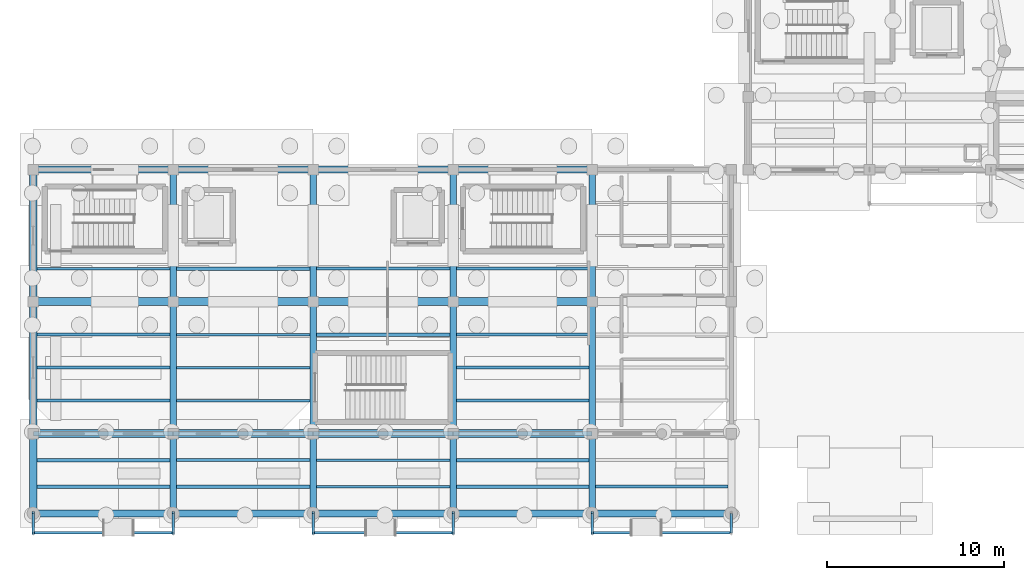
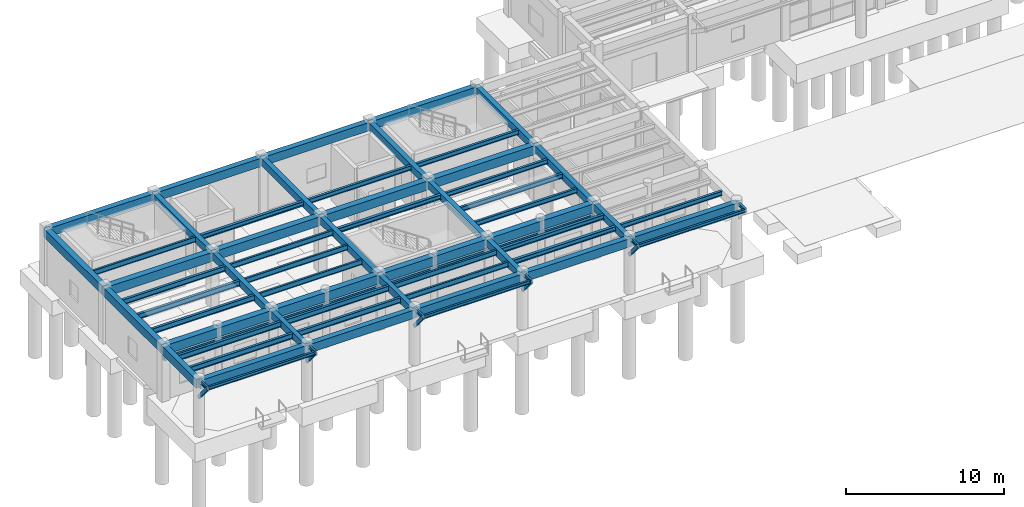
# One storey, part 8 of 41: 72 beams, 5 members.
"""IFC4 building model written with IfcOpenShell, lengths in metres."""

from ifc_helpers import new_model, si_unit, direction, frame, origin, origin_2d, place, context, subcontext, project, spatial, rectangle, hollow_rectangle, i_section, extrude, material, material_profile, profile_set, type_object, element, save


model = new_model("IFC4")

# Units and contexts
model_context = context("Model", 3, precision=1e-05, world=origin(), true_north=direction((0.0, 1.0)))
body_context = subcontext(model_context, "Body", "Model", "MODEL_VIEW")
ifc_project = project(units=[si_unit("LENGTHUNIT", "METRE"), si_unit("AREAUNIT", "SQUARE_METRE"), si_unit("VOLUMEUNIT", "CUBIC_METRE"), si_unit("PLANEANGLEUNIT", "RADIAN"), si_unit("MASSUNIT", "GRAM", prefix="KILO")], contexts=[model_context])

# Site, building, storey
site_placement = place(None, origin())
site = spatial("IfcSite", under=ifc_project, at=site_placement, CompositionType="ELEMENT")
building_placement = place(site_placement, origin())
building = spatial("IfcBuilding", under=site, at=building_placement, Name="Candilejo Ridge Gondola Terminal", CompositionType="ELEMENT")
storey_placement = place(building_placement, origin())
storey = spatial("IfcBuildingStorey", under=building, at=storey_placement, Name="L00", CompositionType="ELEMENT", Elevation=0.0)

# Beams
ifc_material_1 = material(Name="Concrete f'c 35 MPa (C35/45)", Category="concrete")
ifc_material_profile_1 = material_profile(ifc_material_1, rectangle(XDim=0.35009765625, YDim=0.550048828125, at=origin_2d()))
ifc_profile_set_1 = profile_set([ifc_material_profile_1], Name="Concrete f'c 35 MPa (C35/45)")
beam_type_1 = type_object("IfcBeamType", Name="STR-BM-RC350X550", PredefinedType="BEAM", material=ifc_profile_set_1)
beam_1_placement = place(storey_placement, frame((12.199951171875, 6.300048828125, 3.985107421875), z_axis=(0.0, 1.0, 0.0), x_axis=(-1.0, 0.0, 0.0)))
element("IfcBeam", 1, at=beam_1_placement, inside=storey, type_object=beam_type_1, Name="Beam Y V1 L00 Y01-Y02@X02", PredefinedType="BEAM", context=body_context, shape_type="SweptSolid", body=[
    extrude(rectangle(XDim=0.35009765625, YDim=0.550048828125, at=origin_2d()), origin(), (0.0, 0.0, 1.0), 4.5),
])
for number, where, z_axis, x_axis, name in (
    (2, (12.199951171875, 10.800048828125, 3.985107421875), (0.0, 1.0, 0.0), (-1.0, 0.0, 0.0), "Beam Y V1 L00 Y02-Y03@X02"),
    (3, (12.199951171875, 18.25, 3.985107421875), (0.0, 1.0, 0.0), (-1.0, 0.0, 0.0), "Beam Y V1 L00 Y03-Y05@X02"),
):
    element("IfcBeam", number, at=place(storey_placement, frame(where, z_axis=z_axis, x_axis=x_axis)), inside=storey, type_object=beam_type_1, Name=name, PredefinedType="BEAM", context=body_context, shape_type="SweptSolid", body=[
        extrude(rectangle(XDim=0.35009765625, YDim=0.550048828125, at=origin_2d()), origin(), (0.0, 0.0, 1.0), 7.449951171875),
    ])
beam_2_placement = place(storey_placement, frame((20.10009765625, 6.300048828125, 3.985107421875), z_axis=(0.0, 1.0, 0.0), x_axis=(-1.0, 0.0, 0.0)))
element("IfcBeam", 4, at=beam_2_placement, inside=storey, type_object=beam_type_1, Name="Beam Y V1 L00 Y01-Y02@X03", PredefinedType="BEAM", context=body_context, shape_type="SweptSolid", body=[
    extrude(rectangle(XDim=0.35009765625, YDim=0.550048828125, at=origin_2d()), origin(), (0.0, 0.0, 1.0), 4.5),
])
for number, where, z_axis, x_axis, name in (
    (5, (20.10009765625, 10.800048828125, 3.985107421875), (0.0, 1.0, 0.0), (-1.0, 0.0, 0.0), "Beam Y V1 L00 Y02-Y03@X03"),
    (6, (20.10009765625, 18.25, 3.985107421875), (0.0, 1.0, 0.0), (-1.0, 0.0, 0.0), "Beam Y V1 L00 Y03-Y05@X03"),
):
    element("IfcBeam", number, at=place(storey_placement, frame(where, z_axis=z_axis, x_axis=x_axis)), inside=storey, type_object=beam_type_1, Name=name, PredefinedType="BEAM", context=body_context, shape_type="SweptSolid", body=[
        extrude(rectangle(XDim=0.35009765625, YDim=0.550048828125, at=origin_2d()), origin(), (0.0, 0.0, 1.0), 7.449951171875),
    ])
beam_3_placement = place(storey_placement, frame((28.0, 6.300048828125, 3.985107421875), z_axis=(0.0, 1.0, 0.0), x_axis=(-1.0, 0.0, 0.0)))
element("IfcBeam", 7, at=beam_3_placement, inside=storey, type_object=beam_type_1, Name="Beam Y V1 L00 Y01-Y02@X04", PredefinedType="BEAM", context=body_context, shape_type="SweptSolid", body=[
    extrude(rectangle(XDim=0.35009765625, YDim=0.550048828125, at=origin_2d()), origin(), (0.0, 0.0, 1.0), 4.5),
])
for number, where, z_axis, x_axis, name in (
    (8, (28.0, 10.800048828125, 3.985107421875), (0.0, 1.0, 0.0), (-1.0, 0.0, 0.0), "Beam Y V1 L00 Y02-Y03@X04"),
    (9, (28.0, 18.25, 3.985107421875), (0.0, 1.0, 0.0), (-1.0, 0.0, 0.0), "Beam Y V1 L00 Y03-Y05@X04"),
):
    element("IfcBeam", number, at=place(storey_placement, frame(where, z_axis=z_axis, x_axis=x_axis)), inside=storey, type_object=beam_type_1, Name=name, PredefinedType="BEAM", context=body_context, shape_type="SweptSolid", body=[
        extrude(rectangle(XDim=0.35009765625, YDim=0.550048828125, at=origin_2d()), origin(), (0.0, 0.0, 1.0), 7.449951171875),
    ])
beam_4_placement = place(storey_placement, frame((35.85009765625, 6.300048828125, 3.985107421875), z_axis=(0.0, 1.0, 0.0), x_axis=(-1.0, 0.0, 0.0)))
element("IfcBeam", 10, at=beam_4_placement, inside=storey, type_object=beam_type_1, Name="Beam Y V1 L00 Y01-Y02@X05", PredefinedType="BEAM", context=body_context, shape_type="SweptSolid", body=[
    extrude(rectangle(XDim=0.35009765625, YDim=0.550048828125, at=origin_2d()), origin(), (0.0, 0.0, 1.0), 4.5),
])
for number, where, z_axis, x_axis, name in (
    (11, (35.85009765625, 10.800048828125, 3.985107421875), (0.0, 1.0, 0.0), (-1.0, 0.0, 0.0), "Beam Y V1 L00 Y02-Y03@X05"),
    (12, (35.85009765625, 18.25, 3.985107421875), (0.0, 1.0, 0.0), (-1.0, 0.0, 0.0), "Beam Y V1 L00 Y03-Y05@X05"),
):
    element("IfcBeam", number, at=place(storey_placement, frame(where, z_axis=z_axis, x_axis=x_axis)), inside=storey, type_object=beam_type_1, Name=name, PredefinedType="BEAM", context=body_context, shape_type="SweptSolid", body=[
        extrude(rectangle(XDim=0.35009765625, YDim=0.550048828125, at=origin_2d()), origin(), (0.0, 0.0, 1.0), 7.449951171875),
    ])
ifc_material_2 = material(Name="Concrete f'c 35 MPa (C35/45)", Category="concrete")
ifc_material_profile_2 = material_profile(ifc_material_2, rectangle(XDim=0.449951171875, YDim=0.699951171875, at=origin_2d()))
ifc_profile_set_2 = profile_set([ifc_material_profile_2], Name="Concrete f'c 35 MPa (C35/45)")
beam_type_2 = type_object("IfcBeamType", Name="STR-BM-RC450X700", PredefinedType="BEAM", material=ifc_profile_set_2)
for number, where, z_axis, x_axis, name in (
    (13, (4.300048828125, 10.800048828125, 3.909912109375), (1.0, 0.0, 0.0), (0.0, 1.0, 0.0), "Beam X V1 L00 X01-X02@Y02"),
    (14, (8.25, 10.800048828125, 3.909912109375), (1.0, 0.0, 0.0), (0.0, 1.0, 0.0), "Beam X V1 L00 X01-X02@Y02"),
    (15, (12.199951171875, 10.800048828125, 3.909912109375), (1.0, 0.0, 0.0), (0.0, 1.0, 0.0), "Beam X V1 L00 X02-X03@Y02"),
):
    element("IfcBeam", number, at=place(storey_placement, frame(where, z_axis=z_axis, x_axis=x_axis)), inside=storey, type_object=beam_type_2, Name=name, PredefinedType="BEAM", context=body_context, shape_type="SweptSolid", body=[
        extrude(rectangle(XDim=0.449951171875, YDim=0.699951171875, at=origin_2d()), origin(), (0.0, 0.0, 1.0), 3.949951171875),
    ])
beam_5_placement = place(storey_placement, frame((16.14990234375, 10.800048828125, 3.909912109375), z_axis=(1.0, 0.0, 0.0), x_axis=(0.0, 1.0, 0.0)))
element("IfcBeam", 16, at=beam_5_placement, inside=storey, type_object=beam_type_2, Name="Beam X V1 L00 X02-X03@Y02", PredefinedType="BEAM", context=body_context, shape_type="SweptSolid", body=[
    extrude(rectangle(XDim=0.449951171875, YDim=0.699951171875, at=origin_2d()), origin(), (0.0, 0.0, 1.0), 3.9501953125),
])
for number, where, z_axis, x_axis, name in (
    (17, (20.10009765625, 10.800048828125, 3.909912109375), (1.0, 0.0, 0.0), (0.0, 1.0, 0.0), "Beam X V1 L00 X03-X04@Y02"),
    (18, (24.050048828125, 10.800048828125, 3.909912109375), (1.0, 0.0, 0.0), (0.0, 1.0, 0.0), "Beam X V1 L00 X03-X04@Y02"),
):
    element("IfcBeam", number, at=place(storey_placement, frame(where, z_axis=z_axis, x_axis=x_axis)), inside=storey, type_object=beam_type_2, Name=name, PredefinedType="BEAM", context=body_context, shape_type="SweptSolid", body=[
        extrude(rectangle(XDim=0.449951171875, YDim=0.699951171875, at=origin_2d()), origin(), (0.0, 0.0, 1.0), 3.949951171875),
    ])
beam_6_placement = place(storey_placement, frame((28.0, 10.800048828125, 3.909912109375), z_axis=(1.0, 0.0, 0.0), x_axis=(0.0, 1.0, 0.0)))
element("IfcBeam", 19, at=beam_6_placement, inside=storey, type_object=beam_type_2, Name="Beam X V1 L00 X04-X05@Y02", PredefinedType="BEAM", context=body_context, shape_type="SweptSolid", body=[
    extrude(rectangle(XDim=0.449951171875, YDim=0.699951171875, at=origin_2d()), origin(), (0.0, 0.0, 1.0), 3.919921875),
])
beam_7_placement = place(storey_placement, frame((31.919921875, 10.800048828125, 3.909912109375), z_axis=(1.0, 0.0, 0.0), x_axis=(0.0, 1.0, 0.0)))
element("IfcBeam", 20, at=beam_7_placement, inside=storey, type_object=beam_type_2, Name="Beam X V1 L00 X04-X05@Y02", PredefinedType="BEAM", context=body_context, shape_type="SweptSolid", body=[
    extrude(rectangle(XDim=0.449951171875, YDim=0.699951171875, at=origin_2d()), origin(), (0.0, 0.0, 1.0), 3.93017578125),
])
beam_8_placement = place(storey_placement, frame((4.300048828125, 18.25, 3.909912109375), z_axis=(1.0, 0.0, 0.0), x_axis=(0.0, 1.0, 0.0)))
element("IfcBeam", 21, at=beam_8_placement, inside=storey, type_object=beam_type_2, Name="Beam X V1 L00 X01-X02@Y03", PredefinedType="BEAM", context=body_context, shape_type="SweptSolid", body=[
    extrude(rectangle(XDim=0.449951171875, YDim=0.699951171875, at=origin_2d()), origin(), (0.0, 0.0, 1.0), 7.89990234375),
])
beam_9_placement = place(storey_placement, frame((12.199951171875, 18.25, 3.909912109375), z_axis=(1.0, 0.0, 0.0), x_axis=(0.0, 1.0, 0.0)))
element("IfcBeam", 22, at=beam_9_placement, inside=storey, type_object=beam_type_2, Name="Beam X V1 L00 X02-X03@Y03", PredefinedType="BEAM", context=body_context, shape_type="SweptSolid", body=[
    extrude(rectangle(XDim=0.449951171875, YDim=0.699951171875, at=origin_2d()), origin(), (0.0, 0.0, 1.0), 7.900146484375),
])
beam_10_placement = place(storey_placement, frame((20.10009765625, 18.25, 3.909912109375), z_axis=(1.0, 0.0, 0.0), x_axis=(0.0, 1.0, 0.0)))
element("IfcBeam", 23, at=beam_10_placement, inside=storey, type_object=beam_type_2, Name="Beam X V1 L00 X03-X04@Y03", PredefinedType="BEAM", context=body_context, shape_type="SweptSolid", body=[
    extrude(rectangle(XDim=0.449951171875, YDim=0.699951171875, at=origin_2d()), origin(), (0.0, 0.0, 1.0), 7.89990234375),
])
beam_11_placement = place(storey_placement, frame((28.0, 18.25, 3.909912109375), z_axis=(1.0, 0.0, 0.0), x_axis=(0.0, 1.0, 0.0)))
element("IfcBeam", 24, at=beam_11_placement, inside=storey, type_object=beam_type_2, Name="Beam X V1 L00 X04-X05@Y03", PredefinedType="BEAM", context=body_context, shape_type="SweptSolid", body=[
    extrude(rectangle(XDim=0.449951171875, YDim=0.699951171875, at=origin_2d()), origin(), (0.0, 0.0, 1.0), 7.85009765625),
])
ifc_material_3 = material(Name="Steel ASTM A992 Grade 50", Category="steel")
ifc_material_profile_3 = material_profile(ifc_material_3, i_section(OverallWidth=0.14599609375, OverallDepth=0.258056640625, WebThickness=0.006103515625, FlangeThickness=0.009033203125, at=origin_2d()))
ifc_profile_set_3 = profile_set([ifc_material_profile_3], Name="Steel ASTM A992 Grade 50")
beam_type_3 = type_object("IfcBeamType", Name="STR-JST-W250X33", PredefinedType="JOIST", material=ifc_profile_set_3)
beam_12_placement = place(storey_placement, frame((4.300048828125, 5.199951171875, 4.220947265625), z_axis=(1.0, 0.0, 0.0), x_axis=(0.0, 1.0, 0.0)))
element("IfcBeam", 25, at=beam_12_placement, inside=storey, type_object=beam_type_3, Name="Canopy edge beam CN-V1-W", PredefinedType="JOIST", context=body_context, shape_type="SweptSolid", body=[
    extrude(i_section(OverallWidth=0.14599609375, OverallDepth=0.258056640625, WebThickness=0.006103515625, FlangeThickness=0.009033203125, at=origin_2d()), origin(), (0.0, 0.0, 1.0), 7.89990234375),
])
for number, where, z_axis, x_axis, name in (
    (26, (4.300048828125, 5.199951171875, 4.220947265625), (0.0, 1.0, 0.0), (-1.0, 0.0, 0.0), "Canopy bracket arm CN-V1-W-1"),
    (27, (12.199951171875, 5.199951171875, 4.220947265625), (0.0, 1.0, 0.0), (-1.0, 0.0, 0.0), "Canopy bracket arm CN-V1-W-2"),
):
    element("IfcBeam", number, at=place(storey_placement, frame(where, z_axis=z_axis, x_axis=x_axis)), inside=storey, type_object=beam_type_3, Name=name, PredefinedType="JOIST", context=body_context, shape_type="SweptSolid", body=[
        extrude(i_section(OverallWidth=0.14599609375, OverallDepth=0.258056640625, WebThickness=0.006103515625, FlangeThickness=0.009033203125, at=origin_2d()), origin(), (0.0, 0.0, 1.0), 1.10009765625),
    ])
beam_13_placement = place(storey_placement, frame((20.10009765625, 5.199951171875, 4.220947265625), z_axis=(1.0, 0.0, 0.0), x_axis=(0.0, 1.0, 0.0)))
element("IfcBeam", 28, at=beam_13_placement, inside=storey, type_object=beam_type_3, Name="Canopy edge beam CN-V1-M", PredefinedType="JOIST", context=body_context, shape_type="SweptSolid", body=[
    extrude(i_section(OverallWidth=0.14599609375, OverallDepth=0.258056640625, WebThickness=0.006103515625, FlangeThickness=0.009033203125, at=origin_2d()), origin(), (0.0, 0.0, 1.0), 7.89990234375),
])
for number, where, z_axis, x_axis, name in (
    (29, (20.10009765625, 5.199951171875, 4.220947265625), (0.0, 1.0, 0.0), (-1.0, 0.0, 0.0), "Canopy bracket arm CN-V1-M-1"),
    (30, (28.0, 5.199951171875, 4.220947265625), (0.0, 1.0, 0.0), (-1.0, 0.0, 0.0), "Canopy bracket arm CN-V1-M-2"),
):
    element("IfcBeam", number, at=place(storey_placement, frame(where, z_axis=z_axis, x_axis=x_axis)), inside=storey, type_object=beam_type_3, Name=name, PredefinedType="JOIST", context=body_context, shape_type="SweptSolid", body=[
        extrude(i_section(OverallWidth=0.14599609375, OverallDepth=0.258056640625, WebThickness=0.006103515625, FlangeThickness=0.009033203125, at=origin_2d()), origin(), (0.0, 0.0, 1.0), 1.10009765625),
    ])
beam_14_placement = place(storey_placement, frame((35.85009765625, 5.199951171875, 4.220947265625), z_axis=(1.0, 0.0, 0.0), x_axis=(0.0, 1.0, 0.0)))
element("IfcBeam", 31, at=beam_14_placement, inside=storey, type_object=beam_type_3, Name="Canopy edge beam CN-V1-E", PredefinedType="JOIST", context=body_context, shape_type="SweptSolid", body=[
    extrude(i_section(OverallWidth=0.14599609375, OverallDepth=0.258056640625, WebThickness=0.006103515625, FlangeThickness=0.009033203125, at=origin_2d()), origin(), (0.0, 0.0, 1.0), 7.849853515625),
])
for number, where, z_axis, x_axis, name in (
    (32, (35.85009765625, 5.199951171875, 4.220947265625), (0.0, 1.0, 0.0), (-1.0, 0.0, 0.0), "Canopy bracket arm CN-V1-E-1"),
    (33, (43.699951171875, 5.199951171875, 4.220947265625), (0.0, 1.0, 0.0), (-1.0, 0.0, 0.0), "Canopy bracket arm CN-V1-E-2"),
):
    element("IfcBeam", number, at=place(storey_placement, frame(where, z_axis=z_axis, x_axis=x_axis)), inside=storey, type_object=beam_type_3, Name=name, PredefinedType="JOIST", context=body_context, shape_type="SweptSolid", body=[
        extrude(i_section(OverallWidth=0.14599609375, OverallDepth=0.258056640625, WebThickness=0.006103515625, FlangeThickness=0.009033203125, at=origin_2d()), origin(), (0.0, 0.0, 1.0), 1.10009765625),
    ])
ifc_material_4 = material(Name="Steel ASTM A992 Grade 50", Category="steel")
ifc_material_profile_4 = material_profile(ifc_material_4, i_section(OverallWidth=0.1708984375, OverallDepth=0.35205078125, WebThickness=0.0068359375, FlangeThickness=0.009765625, at=origin_2d()))
ifc_profile_set_4 = profile_set([ifc_material_profile_4], Name="Steel ASTM A992 Grade 50")
beam_type_4 = type_object("IfcBeamType", Name="STR-JST-W360X44", PredefinedType="JOIST", material=ifc_profile_set_4)
beam_15_placement = place(storey_placement, frame((28.175048828125, 20.112548828125, 4.083984375), z_axis=(1.0, 0.0, 0.0), x_axis=(0.0, 1.0, 0.0)))
element("IfcBeam", 34, at=beam_15_placement, inside=storey, type_object=beam_type_4, Name="Composite joist V1 L00-0065", PredefinedType="JOIST", context=body_context, shape_type="SweptSolid", body=[
    extrude(i_section(OverallWidth=0.1708984375, OverallDepth=0.35205078125, WebThickness=0.0068359375, FlangeThickness=0.009765625, at=origin_2d()), origin(), (0.0, 0.0, 1.0), 7.5),
])
ifc_material_5 = material(Name="Steel ASTM A992 Grade 50", Category="steel")
ifc_material_profile_5 = material_profile(ifc_material_5, i_section(OverallWidth=0.1708984375, OverallDepth=0.35498046875, WebThickness=0.007080078125, FlangeThickness=0.01171875, at=origin_2d()))
ifc_profile_set_5 = profile_set([ifc_material_profile_5], Name="Steel ASTM A992 Grade 50")
beam_type_5 = type_object("IfcBeamType", Name="STR-JST-W360X51", PredefinedType="JOIST", material=ifc_profile_set_5)
beam_16_placement = place(storey_placement, frame((20.27490234375, 20.112548828125, 4.08251953125), z_axis=(1.0, 0.0, 0.0), x_axis=(0.0, 1.0, 0.0)))
element("IfcBeam", 35, at=beam_16_placement, inside=storey, type_object=beam_type_5, Name="Composite joist V1 L00-0059", PredefinedType="JOIST", context=body_context, shape_type="SweptSolid", body=[
    extrude(i_section(OverallWidth=0.1708984375, OverallDepth=0.35498046875, WebThickness=0.007080078125, FlangeThickness=0.01171875, at=origin_2d()), origin(), (0.0, 0.0, 1.0), 7.550048828125),
])
for number, where, z_axis, x_axis, name in (
    (36, (28.175048828125, 12.66259765625, 4.08251953125), (1.0, 0.0, 0.0), (0.0, 1.0, 0.0), "Composite joist V1 L00-0062"),
    (37, (28.175048828125, 14.52490234375, 4.08251953125), (1.0, 0.0, 0.0), (0.0, 1.0, 0.0), "Composite joist V1 L00-0063"),
    (38, (28.175048828125, 16.387451171875, 4.08251953125), (1.0, 0.0, 0.0), (0.0, 1.0, 0.0), "Composite joist V1 L00-0064"),
):
    element("IfcBeam", number, at=place(storey_placement, frame(where, z_axis=z_axis, x_axis=x_axis)), inside=storey, type_object=beam_type_5, Name=name, PredefinedType="JOIST", context=body_context, shape_type="SweptSolid", body=[
        extrude(i_section(OverallWidth=0.1708984375, OverallDepth=0.35498046875, WebThickness=0.007080078125, FlangeThickness=0.01171875, at=origin_2d()), origin(), (0.0, 0.0, 1.0), 7.5),
    ])
beam_17_placement = place(storey_placement, frame((36.02490234375, 7.800048828125, 4.08251953125), z_axis=(1.0, 0.0, 0.0), x_axis=(0.0, 1.0, 0.0)))
element("IfcBeam", 39, at=beam_17_placement, inside=storey, type_object=beam_type_5, Name="Composite joist V1 L00-0066", PredefinedType="JOIST", context=body_context, shape_type="SweptSolid", body=[
    extrude(i_section(OverallWidth=0.1708984375, OverallDepth=0.35498046875, WebThickness=0.007080078125, FlangeThickness=0.01171875, at=origin_2d()), origin(), (0.0, 0.0, 1.0), 7.47509765625),
])
ifc_material_6 = material(Name="Steel ASTM A992 Grade 50", Category="steel")
ifc_material_profile_6 = material_profile(ifc_material_6, i_section(OverallWidth=0.205078125, OverallDepth=0.35400390625, WebThickness=0.009521484375, FlangeThickness=0.016845703125, at=origin_2d()))
ifc_profile_set_6 = profile_set([ifc_material_profile_6], Name="Steel ASTM A992 Grade 50")
beam_type_6 = type_object("IfcBeamType", Name="STR-JST-W360X79", PredefinedType="JOIST", material=ifc_profile_set_6)
for number, where, z_axis, x_axis, name in (
    (40, (12.375, 20.112548828125, 4.0830078125), (1.0, 0.0, 0.0), (0.0, 1.0, 0.0), "Composite joist V1 L00-0055"),
    (41, (20.27490234375, 16.387451171875, 4.0830078125), (1.0, 0.0, 0.0), (0.0, 1.0, 0.0), "Composite joist V1 L00-0058"),
):
    element("IfcBeam", number, at=place(storey_placement, frame(where, z_axis=z_axis, x_axis=x_axis)), inside=storey, type_object=beam_type_6, Name=name, PredefinedType="JOIST", context=body_context, shape_type="SweptSolid", body=[
        extrude(i_section(OverallWidth=0.205078125, OverallDepth=0.35400390625, WebThickness=0.009521484375, FlangeThickness=0.016845703125, at=origin_2d()), origin(), (0.0, 0.0, 1.0), 7.550048828125),
    ])
for number, where, z_axis, x_axis, name in (
    (42, (28.175048828125, 7.800048828125, 4.0830078125), (1.0, 0.0, 0.0), (0.0, 1.0, 0.0), "Composite joist V1 L00-0060"),
    (43, (28.175048828125, 9.300048828125, 4.0830078125), (1.0, 0.0, 0.0), (0.0, 1.0, 0.0), "Composite joist V1 L00-0061"),
):
    element("IfcBeam", number, at=place(storey_placement, frame(where, z_axis=z_axis, x_axis=x_axis)), inside=storey, type_object=beam_type_6, Name=name, PredefinedType="JOIST", context=body_context, shape_type="SweptSolid", body=[
        extrude(i_section(OverallWidth=0.205078125, OverallDepth=0.35400390625, WebThickness=0.009521484375, FlangeThickness=0.016845703125, at=origin_2d()), origin(), (0.0, 0.0, 1.0), 7.5),
    ])
ifc_material_7 = material(Name="Steel ASTM A992 Grade 50", Category="steel")
ifc_material_profile_7 = material_profile(ifc_material_7, i_section(OverallWidth=0.139892578125, OverallDepth=0.403076171875, WebThickness=0.007080078125, FlangeThickness=0.01123046875, at=origin_2d()))
ifc_profile_set_7 = profile_set([ifc_material_profile_7], Name="Steel ASTM A992 Grade 50")
beam_type_7 = type_object("IfcBeamType", Name="STR-JST-W410X46", PredefinedType="JOIST", material=ifc_profile_set_7)
beam_18_placement = place(storey_placement, frame((4.5, 20.112548828125, 4.05859375), z_axis=(1.0, 0.0, 0.0), x_axis=(0.0, 1.0, 0.0)))
element("IfcBeam", 44, at=beam_18_placement, inside=storey, type_object=beam_type_7, Name="Composite joist V1 L00-0049", PredefinedType="JOIST", context=body_context, shape_type="SweptSolid", body=[
    extrude(i_section(OverallWidth=0.139892578125, OverallDepth=0.403076171875, WebThickness=0.007080078125, FlangeThickness=0.01123046875, at=origin_2d()), origin(), (0.0, 0.0, 1.0), 7.52490234375),
])
for number, where, z_axis, x_axis, name in (
    (45, (12.375, 12.66259765625, 4.05859375), (1.0, 0.0, 0.0), (0.0, 1.0, 0.0), "Composite joist V1 L00-0052"),
    (46, (12.375, 14.52490234375, 4.05859375), (1.0, 0.0, 0.0), (0.0, 1.0, 0.0), "Composite joist V1 L00-0053"),
    (47, (12.375, 16.387451171875, 4.05859375), (1.0, 0.0, 0.0), (0.0, 1.0, 0.0), "Composite joist V1 L00-0054"),
    (48, (20.27490234375, 7.800048828125, 4.05859375), (1.0, 0.0, 0.0), (0.0, 1.0, 0.0), "Composite joist V1 L00-0056"),
    (49, (20.27490234375, 9.300048828125, 4.05859375), (1.0, 0.0, 0.0), (0.0, 1.0, 0.0), "Composite joist V1 L00-0057"),
):
    element("IfcBeam", number, at=place(storey_placement, frame(where, z_axis=z_axis, x_axis=x_axis)), inside=storey, type_object=beam_type_7, Name=name, PredefinedType="JOIST", context=body_context, shape_type="SweptSolid", body=[
        extrude(i_section(OverallWidth=0.139892578125, OverallDepth=0.403076171875, WebThickness=0.007080078125, FlangeThickness=0.01123046875, at=origin_2d()), origin(), (0.0, 0.0, 1.0), 7.550048828125),
    ])
ifc_material_8 = material(Name="Steel ASTM A992 Grade 50", Category="steel")
ifc_material_profile_8 = material_profile(ifc_material_8, i_section(OverallWidth=0.177978515625, OverallDepth=0.406982421875, WebThickness=0.0078125, FlangeThickness=0.0126953125, at=origin_2d()))
ifc_profile_set_8 = profile_set([ifc_material_profile_8], Name="Steel ASTM A992 Grade 50")
beam_type_8 = type_object("IfcBeamType", Name="STR-JST-W410X60", PredefinedType="JOIST", material=ifc_profile_set_8)
for number, where, z_axis, x_axis, name in (
    (50, (4.5, 12.66259765625, 4.056396484375), (1.0, 0.0, 0.0), (0.0, 1.0, 0.0), "Composite joist V1 L00-0046"),
    (51, (4.5, 14.52490234375, 4.056396484375), (1.0, 0.0, 0.0), (0.0, 1.0, 0.0), "Composite joist V1 L00-0047"),
    (52, (4.5, 16.387451171875, 4.056396484375), (1.0, 0.0, 0.0), (0.0, 1.0, 0.0), "Composite joist V1 L00-0048"),
):
    element("IfcBeam", number, at=place(storey_placement, frame(where, z_axis=z_axis, x_axis=x_axis)), inside=storey, type_object=beam_type_8, Name=name, PredefinedType="JOIST", context=body_context, shape_type="SweptSolid", body=[
        extrude(i_section(OverallWidth=0.177978515625, OverallDepth=0.406982421875, WebThickness=0.0078125, FlangeThickness=0.0126953125, at=origin_2d()), origin(), (0.0, 0.0, 1.0), 7.52490234375),
    ])
for number, where, z_axis, x_axis, name in (
    (53, (12.375, 7.800048828125, 4.056396484375), (1.0, 0.0, 0.0), (0.0, 1.0, 0.0), "Composite joist V1 L00-0050"),
    (54, (12.375, 9.300048828125, 4.056396484375), (1.0, 0.0, 0.0), (0.0, 1.0, 0.0), "Composite joist V1 L00-0051"),
):
    element("IfcBeam", number, at=place(storey_placement, frame(where, z_axis=z_axis, x_axis=x_axis)), inside=storey, type_object=beam_type_8, Name=name, PredefinedType="JOIST", context=body_context, shape_type="SweptSolid", body=[
        extrude(i_section(OverallWidth=0.177978515625, OverallDepth=0.406982421875, WebThickness=0.0078125, FlangeThickness=0.0126953125, at=origin_2d()), origin(), (0.0, 0.0, 1.0), 7.550048828125),
    ])
ifc_material_9 = material(Name="Steel ASTM A992 Grade 50", Category="steel")
ifc_material_profile_9 = material_profile(ifc_material_9, i_section(OverallWidth=0.180908203125, OverallDepth=0.4169921875, WebThickness=0.010986328125, FlangeThickness=0.018310546875, at=origin_2d()))
ifc_profile_set_9 = profile_set([ifc_material_profile_9], Name="Steel ASTM A992 Grade 50")
beam_type_9 = type_object("IfcBeamType", Name="STR-JST-W410X85", PredefinedType="JOIST", material=ifc_profile_set_9)
for number, where, z_axis, x_axis, name in (
    (55, (4.5, 7.800048828125, 4.051513671875), (1.0, 0.0, 0.0), (0.0, 1.0, 0.0), "Composite joist V1 L00-0044"),
    (56, (4.5, 9.300048828125, 4.051513671875), (1.0, 0.0, 0.0), (0.0, 1.0, 0.0), "Composite joist V1 L00-0045"),
):
    element("IfcBeam", number, at=place(storey_placement, frame(where, z_axis=z_axis, x_axis=x_axis)), inside=storey, type_object=beam_type_9, Name=name, PredefinedType="JOIST", context=body_context, shape_type="SweptSolid", body=[
        extrude(i_section(OverallWidth=0.180908203125, OverallDepth=0.4169921875, WebThickness=0.010986328125, FlangeThickness=0.018310546875, at=origin_2d()), origin(), (0.0, 0.0, 1.0), 7.52490234375),
    ])
ifc_material_10 = material(Name="Concrete f'c 35 MPa (C35/45)", Category="concrete")
ifc_material_profile_10 = material_profile(ifc_material_10, rectangle(XDim=0.25, YDim=0.35009765625, at=origin_2d()))
ifc_profile_set_10 = profile_set([ifc_material_profile_10], Name="Concrete f'c 35 MPa (C35/45)")
beam_type_10 = type_object("IfcBeamType", Name="STR-LNT-RC250X350", PredefinedType="LINTEL", material=ifc_profile_set_10)
beam_19_placement = place(storey_placement, frame((4.300048828125, 10.800048828125, 3.179931640625), z_axis=(1.0, 0.0, 0.0), x_axis=(0.0, 1.0, 0.0)))
element("IfcBeam", 57, at=beam_19_placement, inside=storey, type_object=beam_type_10, Name="Opening lintel L00-01", PredefinedType="LINTEL", context=body_context, shape_type="SweptSolid", body=[
    extrude(rectangle(XDim=0.25, YDim=0.35009765625, at=origin_2d()), origin(), (0.0, 0.0, 1.0), 7.89990234375),
])
beam_20_placement = place(storey_placement, frame((12.199951171875, 10.800048828125, 3.179931640625), z_axis=(1.0, 0.0, 0.0), x_axis=(0.0, 1.0, 0.0)))
element("IfcBeam", 58, at=beam_20_placement, inside=storey, type_object=beam_type_10, Name="Opening lintel L00-02", PredefinedType="LINTEL", context=body_context, shape_type="SweptSolid", body=[
    extrude(rectangle(XDim=0.25, YDim=0.35009765625, at=origin_2d()), origin(), (0.0, 0.0, 1.0), 7.900146484375),
])
beam_21_placement = place(storey_placement, frame((20.10009765625, 10.800048828125, 3.179931640625), z_axis=(1.0, 0.0, 0.0), x_axis=(0.0, 1.0, 0.0)))
element("IfcBeam", 59, at=beam_21_placement, inside=storey, type_object=beam_type_10, Name="Opening lintel L00-03", PredefinedType="LINTEL", context=body_context, shape_type="SweptSolid", body=[
    extrude(rectangle(XDim=0.25, YDim=0.35009765625, at=origin_2d()), origin(), (0.0, 0.0, 1.0), 7.89990234375),
])
beam_22_placement = place(storey_placement, frame((28.0, 10.800048828125, 3.179931640625), z_axis=(1.0, 0.0, 0.0), x_axis=(0.0, 1.0, 0.0)))
element("IfcBeam", 60, at=beam_22_placement, inside=storey, type_object=beam_type_10, Name="Opening lintel L00-04", PredefinedType="LINTEL", context=body_context, shape_type="SweptSolid", body=[
    extrude(rectangle(XDim=0.25, YDim=0.35009765625, at=origin_2d()), origin(), (0.0, 0.0, 1.0), 7.85009765625),
])
ifc_material_11 = material(Name="Concrete f'c 35 MPa (C35/45)", Category="concrete")
ifc_material_profile_11 = material_profile(ifc_material_11, rectangle(XDim=0.39990234375, YDim=0.64990234375, at=origin_2d()))
ifc_profile_set_11 = profile_set([ifc_material_profile_11], Name="Concrete f'c 35 MPa (C35/45)")
beam_type_11 = type_object("IfcBeamType", Name="STR-SPN-RC400X650", PredefinedType="SPANDREL", material=ifc_profile_set_11)
beam_23_placement = place(storey_placement, frame((4.300048828125, 6.300048828125, 3.93505859375), z_axis=(1.0, 0.0, 0.0), x_axis=(0.0, 1.0, 0.0)))
element("IfcBeam", 61, at=beam_23_placement, inside=storey, type_object=beam_type_11, Name="Beam X V1 L00 X01-X02@Y01", PredefinedType="SPANDREL", context=body_context, shape_type="SweptSolid", body=[
    extrude(rectangle(XDim=0.39990234375, YDim=0.64990234375, at=origin_2d()), origin(), (0.0, 0.0, 1.0), 7.89990234375),
])
beam_24_placement = place(storey_placement, frame((12.199951171875, 6.300048828125, 3.93505859375), z_axis=(1.0, 0.0, 0.0), x_axis=(0.0, 1.0, 0.0)))
element("IfcBeam", 62, at=beam_24_placement, inside=storey, type_object=beam_type_11, Name="Beam X V1 L00 X02-X03@Y01", PredefinedType="SPANDREL", context=body_context, shape_type="SweptSolid", body=[
    extrude(rectangle(XDim=0.39990234375, YDim=0.64990234375, at=origin_2d()), origin(), (0.0, 0.0, 1.0), 7.900146484375),
])
beam_25_placement = place(storey_placement, frame((20.10009765625, 6.300048828125, 3.93505859375), z_axis=(1.0, 0.0, 0.0), x_axis=(0.0, 1.0, 0.0)))
element("IfcBeam", 63, at=beam_25_placement, inside=storey, type_object=beam_type_11, Name="Beam X V1 L00 X03-X04@Y01", PredefinedType="SPANDREL", context=body_context, shape_type="SweptSolid", body=[
    extrude(rectangle(XDim=0.39990234375, YDim=0.64990234375, at=origin_2d()), origin(), (0.0, 0.0, 1.0), 7.89990234375),
])
beam_26_placement = place(storey_placement, frame((28.0, 6.300048828125, 3.93505859375), z_axis=(1.0, 0.0, 0.0), x_axis=(0.0, 1.0, 0.0)))
element("IfcBeam", 64, at=beam_26_placement, inside=storey, type_object=beam_type_11, Name="Beam X V1 L00 X04-X05@Y01", PredefinedType="SPANDREL", context=body_context, shape_type="SweptSolid", body=[
    extrude(rectangle(XDim=0.39990234375, YDim=0.64990234375, at=origin_2d()), origin(), (0.0, 0.0, 1.0), 7.85009765625),
])
beam_27_placement = place(storey_placement, frame((35.85009765625, 6.300048828125, 3.93505859375), z_axis=(1.0, 0.0, 0.0), x_axis=(0.0, 1.0, 0.0)))
element("IfcBeam", 65, at=beam_27_placement, inside=storey, type_object=beam_type_11, Name="Beam X V1 L00 X05-X06@Y01", PredefinedType="SPANDREL", context=body_context, shape_type="SweptSolid", body=[
    extrude(rectangle(XDim=0.39990234375, YDim=0.64990234375, at=origin_2d()), origin(), (0.0, 0.0, 1.0), 7.849853515625),
])
beam_28_placement = place(storey_placement, frame((4.300048828125, 25.699951171875, 3.93505859375), z_axis=(1.0, 0.0, 0.0), x_axis=(0.0, 1.0, 0.0)))
element("IfcBeam", 66, at=beam_28_placement, inside=storey, type_object=beam_type_11, Name="Beam X V1 L00 X01-X02@Y05", PredefinedType="SPANDREL", context=body_context, shape_type="SweptSolid", body=[
    extrude(rectangle(XDim=0.39990234375, YDim=0.64990234375, at=origin_2d()), origin(), (0.0, 0.0, 1.0), 7.89990234375),
])
beam_29_placement = place(storey_placement, frame((12.199951171875, 25.699951171875, 3.93505859375), z_axis=(1.0, 0.0, 0.0), x_axis=(0.0, 1.0, 0.0)))
element("IfcBeam", 67, at=beam_29_placement, inside=storey, type_object=beam_type_11, Name="Beam X V1 L00 X02-X03@Y05", PredefinedType="SPANDREL", context=body_context, shape_type="SweptSolid", body=[
    extrude(rectangle(XDim=0.39990234375, YDim=0.64990234375, at=origin_2d()), origin(), (0.0, 0.0, 1.0), 7.900146484375),
])
beam_30_placement = place(storey_placement, frame((20.10009765625, 25.699951171875, 3.93505859375), z_axis=(1.0, 0.0, 0.0), x_axis=(0.0, 1.0, 0.0)))
element("IfcBeam", 68, at=beam_30_placement, inside=storey, type_object=beam_type_11, Name="Beam X V1 L00 X03-X04@Y05", PredefinedType="SPANDREL", context=body_context, shape_type="SweptSolid", body=[
    extrude(rectangle(XDim=0.39990234375, YDim=0.64990234375, at=origin_2d()), origin(), (0.0, 0.0, 1.0), 7.89990234375),
])
beam_31_placement = place(storey_placement, frame((28.0, 25.699951171875, 3.93505859375), z_axis=(1.0, 0.0, 0.0), x_axis=(0.0, 1.0, 0.0)))
element("IfcBeam", 69, at=beam_31_placement, inside=storey, type_object=beam_type_11, Name="Beam X V1 L00 X04-X05@Y05", PredefinedType="SPANDREL", context=body_context, shape_type="SweptSolid", body=[
    extrude(rectangle(XDim=0.39990234375, YDim=0.64990234375, at=origin_2d()), origin(), (0.0, 0.0, 1.0), 7.85009765625),
])
beam_32_placement = place(storey_placement, frame((4.300048828125, 6.300048828125, 3.93505859375), z_axis=(0.0, 1.0, 0.0), x_axis=(-1.0, 0.0, 0.0)))
element("IfcBeam", 70, at=beam_32_placement, inside=storey, type_object=beam_type_11, Name="Beam Y V1 L00 Y01-Y02@X01", PredefinedType="SPANDREL", context=body_context, shape_type="SweptSolid", body=[
    extrude(rectangle(XDim=0.39990234375, YDim=0.64990234375, at=origin_2d()), origin(), (0.0, 0.0, 1.0), 4.5),
])
for number, where, z_axis, x_axis, name in (
    (71, (4.300048828125, 10.800048828125, 3.93505859375), (0.0, 1.0, 0.0), (-1.0, 0.0, 0.0), "Beam Y V1 L00 Y02-Y03@X01"),
    (72, (4.300048828125, 18.25, 3.93505859375), (0.0, 1.0, 0.0), (-1.0, 0.0, 0.0), "Beam Y V1 L00 Y03-Y05@X01"),
):
    element("IfcBeam", number, at=place(storey_placement, frame(where, z_axis=z_axis, x_axis=x_axis)), inside=storey, type_object=beam_type_11, Name=name, PredefinedType="SPANDREL", context=body_context, shape_type="SweptSolid", body=[
        extrude(rectangle(XDim=0.39990234375, YDim=0.64990234375, at=origin_2d()), origin(), (0.0, 0.0, 1.0), 7.449951171875),
    ])

# Members
ifc_material_12 = material(Name="Steel ASTM A500 Grade C", Category="steel")
ifc_material_profile_12 = material_profile(ifc_material_12, hollow_rectangle(XDim=0.14990234375, YDim=0.25, WallThickness=0.008056640625, at=origin_2d()))
ifc_profile_set_12 = profile_set([ifc_material_profile_12], Name="Steel ASTM A500 Grade C")
member_type = type_object("IfcMemberType", Name="STR-STR-HSS250X150", PredefinedType="STRUT", material=ifc_profile_set_12)
for number, where, z_axis, x_axis, name in (
    (73, (4.300048828125, 6.300048828125, 2.87109375), (0.0, -0.631747845622, 0.775173954382), (1.0, 0.0, 0.0), "Canopy raking strut CN-V1-W-1"),
    (74, (12.199951171875, 6.300048828125, 2.87109375), (0.0, -0.631747845622, 0.775173954382), (1.0, 0.0, 0.0), "Canopy raking strut CN-V1-W-2"),
    (75, (20.10009765625, 6.300048828125, 2.87109375), (0.0, -0.631747845622, 0.775173954382), (1.0, 0.0, 0.0), "Canopy raking strut CN-V1-M-1"),
    (76, (28.0, 6.300048828125, 2.87109375), (0.0, -0.631747845622, 0.775173954382), (1.0, 0.0, 0.0), "Canopy raking strut CN-V1-M-2"),
    (77, (35.85009765625, 6.300048828125, 2.87109375), (0.0, -0.631747845622, 0.775173954382), (1.0, 0.0, 0.0), "Canopy raking strut CN-V1-E-1"),
):
    element("IfcMember", number, at=place(storey_placement, frame(where, z_axis=z_axis, x_axis=x_axis)), inside=storey, type_object=member_type, Name=name, PredefinedType="STRUT", context=body_context, shape_type="SweptSolid", body=[
        extrude(hollow_rectangle(XDim=0.14990234375, YDim=0.25, WallThickness=0.008056640625, at=origin_2d()), origin(), (0.0, 0.0, 1.0), 1.741455078125),
    ])

save(model, "model.ifc")
